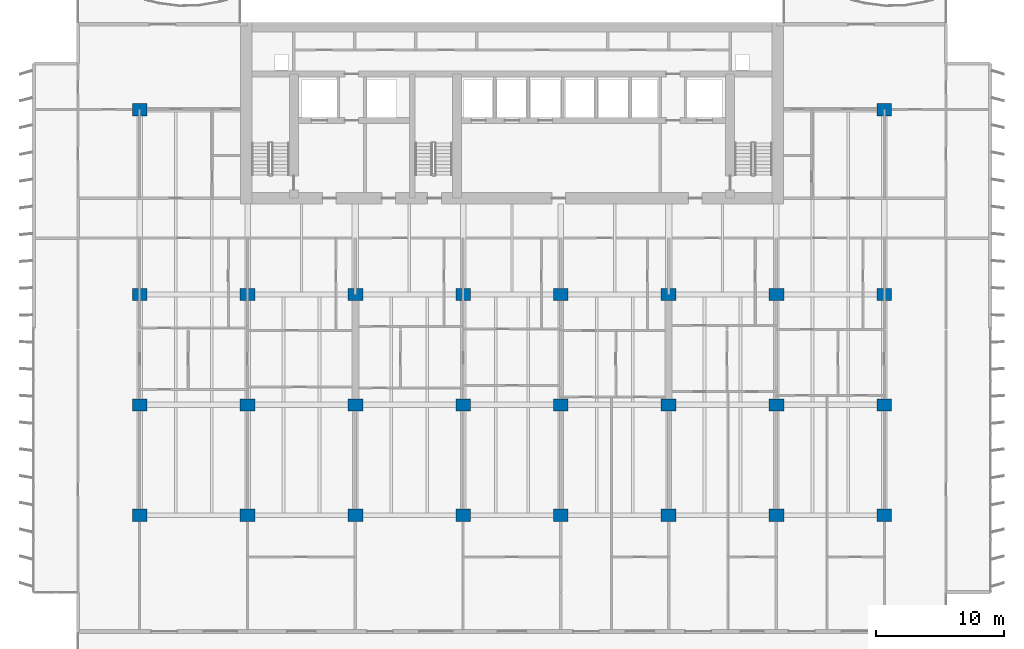
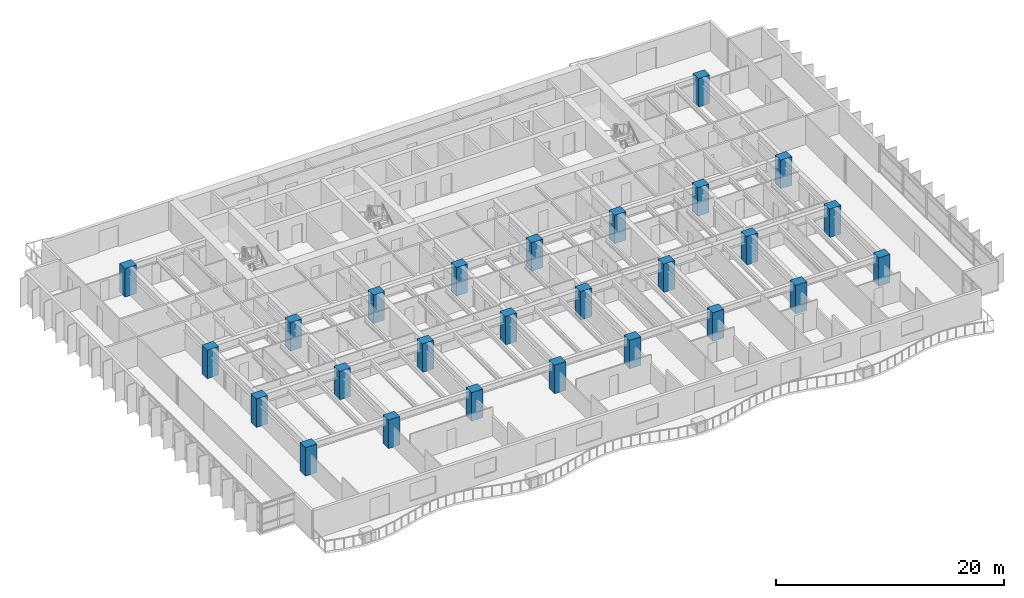
# One storey, part 1 of 17: 26 columns.
"""IFC4 building model written with IfcOpenShell, lengths in metres."""

from ifc_helpers import new_model, si_unit, direction, frame, origin, origin_2d, place, context, subcontext, project, spatial, rectangle, extrude, material, material_profile, profile_set, type_object, element, save


model = new_model("IFC4")

# Units and contexts
model_context = context("Model", 3, precision=1e-05, world=origin(), true_north=direction((0.0, 1.0)))
body_context = subcontext(model_context, "Body", "Model", "MODEL_VIEW")
ifc_project = project(units=[si_unit("LENGTHUNIT", "METRE"), si_unit("AREAUNIT", "SQUARE_METRE"), si_unit("VOLUMEUNIT", "CUBIC_METRE"), si_unit("PLANEANGLEUNIT", "RADIAN"), si_unit("MASSUNIT", "GRAM", prefix="KILO")], contexts=[model_context])

# Site, building, storey
site_placement = place(None, origin())
site = spatial("IfcSite", under=ifc_project, at=site_placement, CompositionType="ELEMENT")
building_placement = place(site_placement, origin())
building = spatial("IfcBuilding", under=site, at=building_placement, Name="Caelmar Bay Residences", CompositionType="ELEMENT")
storey_placement = place(building_placement, frame((0.0, 0.0, 63.0)))
storey = spatial("IfcBuildingStorey", under=building, at=storey_placement, Name="L16", CompositionType="ELEMENT", Elevation=63.0)

# Columns
ifc_material = material(Name="Concrete f'c 70 MPa (10,000 psi)", Category="concrete")
ifc_material_profile = material_profile(ifc_material, rectangle(XDim=1.14990234375, YDim=0.949951171875, at=origin_2d()), Name="RC-COL-1150X950")
ifc_profile_set = profile_set([ifc_material_profile], Name="Concrete f'c 70 MPa (10,000 psi)")
column_type = type_object("IfcColumnType", Name="COL-RC-1150X950", PredefinedType="COLUMN", material=ifc_profile_set)
for number, where, z_axis, x_axis, name in (
    (1, (9.89990234375, 12.199951171875, 0.0), (0.0, 0.0, 1.0), (1.0, 0.0, 0.0), "L16 Column (9.90,12.20)"),
    (2, (18.300048828125, 12.199951171875, 0.0), (0.0, 0.0, 1.0), (1.0, 0.0, 0.0), "L16 Column (18.30,12.20)"),
    (3, (26.699951171875, 12.199951171875, 0.0), (0.0, 0.0, 1.0), (1.0, 0.0, 0.0), "L16 Column (26.70,12.20)"),
    (4, (35.10009765625, 12.199951171875, 0.0), (0.0, 0.0, 1.0), (1.0, 0.0, 0.0), "L16 Column (35.10,12.20)"),
    (5, (42.699951171875, 12.199951171875, 0.0), (0.0, 0.0, 1.0), (1.0, 0.0, 0.0), "L16 Column (42.70,12.20)"),
    (6, (51.10009765625, 12.199951171875, 0.0), (0.0, 0.0, 1.0), (1.0, 0.0, 0.0), "L16 Column (51.10,12.20)"),
    (7, (59.5, 12.199951171875, 0.0), (0.0, 0.0, 1.0), (1.0, 0.0, 0.0), "L16 Column (59.50,12.20)"),
    (8, (67.89990234375, 12.199951171875, 0.0), (0.0, 0.0, 1.0), (1.0, 0.0, 0.0), "L16 Column (67.90,12.20)"),
    (9, (9.89990234375, 20.800048828125, 0.0), (0.0, 0.0, 1.0), (1.0, 0.0, 0.0), "L16 Column (9.90,20.80)"),
    (10, (18.300048828125, 20.800048828125, 0.0), (0.0, 0.0, 1.0), (1.0, 0.0, 0.0), "L16 Column (18.30,20.80)"),
    (11, (26.699951171875, 20.800048828125, 0.0), (0.0, 0.0, 1.0), (1.0, 0.0, 0.0), "L16 Column (26.70,20.80)"),
    (12, (35.10009765625, 20.800048828125, 0.0), (0.0, 0.0, 1.0), (1.0, 0.0, 0.0), "L16 Column (35.10,20.80)"),
    (13, (42.699951171875, 20.800048828125, 0.0), (0.0, 0.0, 1.0), (1.0, 0.0, 0.0), "L16 Column (42.70,20.80)"),
    (14, (51.10009765625, 20.800048828125, 0.0), (0.0, 0.0, 1.0), (1.0, 0.0, 0.0), "L16 Column (51.10,20.80)"),
    (15, (59.5, 20.800048828125, 0.0), (0.0, 0.0, 1.0), (1.0, 0.0, 0.0), "L16 Column (59.50,20.80)"),
    (16, (67.89990234375, 20.800048828125, 0.0), (0.0, 0.0, 1.0), (1.0, 0.0, 0.0), "L16 Column (67.90,20.80)"),
    (17, (9.89990234375, 29.39990234375, 0.0), (0.0, 0.0, 1.0), (1.0, 0.0, 0.0), "L16 Column (9.90,29.40)"),
    (18, (18.300048828125, 29.39990234375, 0.0), (0.0, 0.0, 1.0), (1.0, 0.0, 0.0), "L16 Column (18.30,29.40)"),
    (19, (26.699951171875, 29.39990234375, 0.0), (0.0, 0.0, 1.0), (1.0, 0.0, 0.0), "L16 Column (26.70,29.40)"),
    (20, (35.10009765625, 29.39990234375, 0.0), (0.0, 0.0, 1.0), (1.0, 0.0, 0.0), "L16 Column (35.10,29.40)"),
    (21, (42.699951171875, 29.39990234375, 0.0), (0.0, 0.0, 1.0), (1.0, 0.0, 0.0), "L16 Column (42.70,29.40)"),
    (22, (51.10009765625, 29.39990234375, 0.0), (0.0, 0.0, 1.0), (1.0, 0.0, 0.0), "L16 Column (51.10,29.40)"),
    (23, (59.5, 29.39990234375, 0.0), (0.0, 0.0, 1.0), (1.0, 0.0, 0.0), "L16 Column (59.50,29.40)"),
    (24, (67.89990234375, 29.39990234375, 0.0), (0.0, 0.0, 1.0), (1.0, 0.0, 0.0), "L16 Column (67.90,29.40)"),
    (25, (9.89990234375, 43.800048828125, 0.0), (0.0, 0.0, 1.0), (1.0, 0.0, 0.0), "L16 Column (9.90,43.80)"),
    (26, (67.89990234375, 43.800048828125, 0.0), (0.0, 0.0, 1.0), (1.0, 0.0, 0.0), "L16 Column (67.90,43.80)"),
):
    element("IfcColumn", number, at=place(storey_placement, frame(where, z_axis=z_axis, x_axis=x_axis)), inside=storey, type_object=column_type, Name=name, PredefinedType="COLUMN", context=body_context, shape_type="SweptSolid", body=[
        extrude(rectangle(XDim=1.14990234375, YDim=0.949951171875, at=origin_2d()), origin(), (0.0, 0.0, 1.0), 3.050048828125),
    ])

save(model, "model.ifc")
